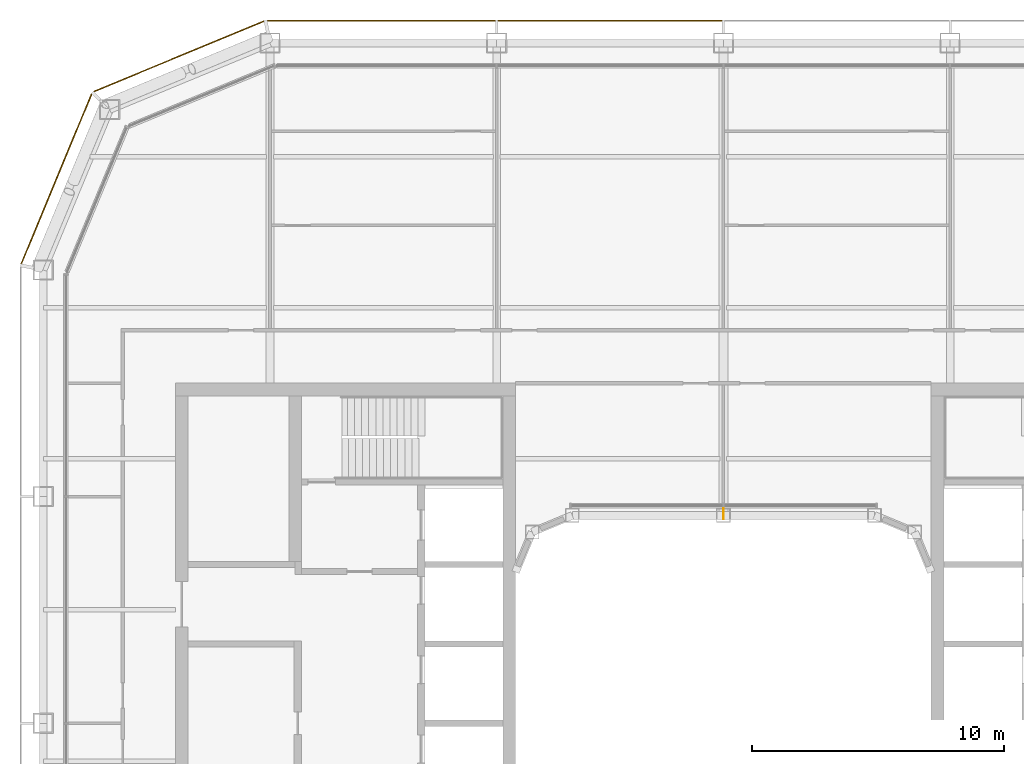
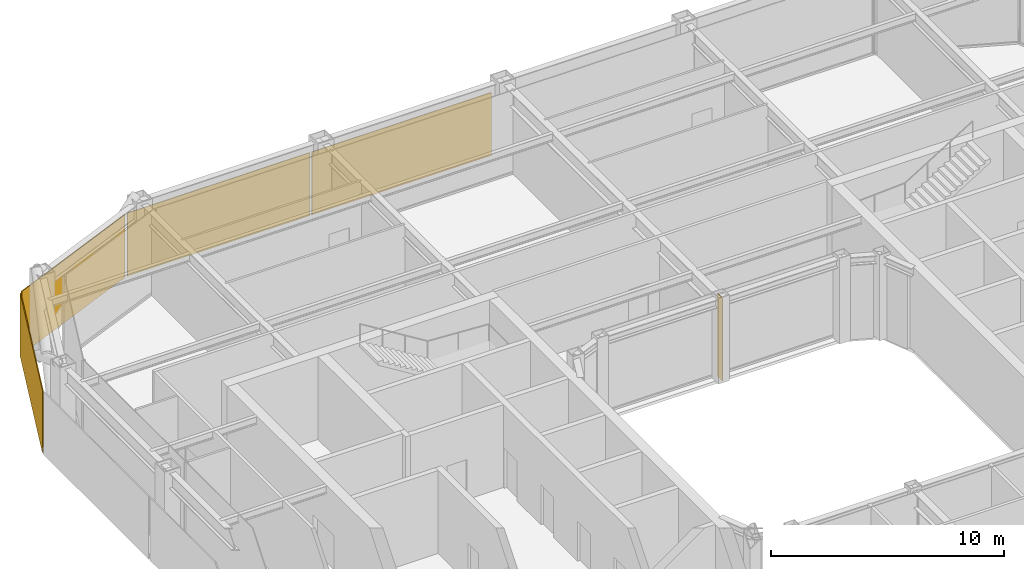
# One storey, part 21 of 23: 4 coverings, 1 shading device.
"""IFC4 building model written with IfcOpenShell, lengths in metres."""

from ifc_helpers import new_model, si_unit, direction, frame, origin, origin_2d, place, context, subcontext, project, spatial, rectangle, extrude, material, layer, layer_set, type_object, element, save


model = new_model("IFC4")

# Units and contexts
model_context = context("Model", 3, precision=1e-05, world=origin(), true_north=direction((0.0, 1.0)))
body_context = subcontext(model_context, "Body", "Model", "MODEL_VIEW")
ifc_project = project(units=[si_unit("LENGTHUNIT", "METRE"), si_unit("AREAUNIT", "SQUARE_METRE"), si_unit("VOLUMEUNIT", "CUBIC_METRE"), si_unit("PLANEANGLEUNIT", "RADIAN"), si_unit("MASSUNIT", "GRAM", prefix="KILO")], contexts=[model_context])

# Site, building, storey
site_placement = place(None, origin())
site = spatial("IfcSite", under=ifc_project, at=site_placement, CompositionType="ELEMENT")
building_placement = place(site_placement, origin())
building = spatial("IfcBuilding", under=site, at=building_placement, Name="Siwar Civic Tower", CompositionType="ELEMENT")
storey_placement = place(building_placement, frame((0.0, 0.0, 237.699951171875)))
storey = spatial("IfcBuildingStorey", under=building, at=storey_placement, Name="L51", CompositionType="ELEMENT", Elevation=237.699951171875)

# Shading device
ifc_material_1 = material(Name="Aluminium 6063-T6", Category="aluminium")
ifc_layer_1 = layer(ifc_material_1, 0.02001953125)
ifc_layer_set_1 = layer_set([ifc_layer_1], Name="Aluminium 6063-T6")
shading_device_type = type_object("IfcShadingDeviceType", Name="ENV-FIN", PredefinedType="JALOUSIE", material=ifc_layer_set_1)
shading_device_placement = place(storey_placement, frame((0.0, 8.320068359375, 0.0), z_axis=(0.0, 0.0, 1.0), x_axis=(-1.0, 0.0, 0.0)))
element("IfcShadingDevice", 1, at=shading_device_placement, inside=storey, type_object=shading_device_type, Name="SUNSHADE fin WN 1", PredefinedType="JALOUSIE", context=body_context, shape_type="SweptSolid", body=[
    extrude(rectangle(XDim=0.02001953125, YDim=0.449951171875, at=origin_2d()), origin(), (0.0, 0.0, 1.0), 4.35009765625),
])

# Coverings
ifc_material_2 = material(Name="Perforated aluminium cassette, pale metal", Category="aluminium")
ifc_layer_2 = layer(ifc_material_2, 0.0400390625)
ifc_layer_set_2 = layer_set([ifc_layer_2], Name="Perforated aluminium cassette, pale metal")
covering_type_1 = type_object("IfcCoveringType", Name="ENV-OUTER SKIN OS-1", PredefinedType="CLADDING", material=ifc_layer_set_2)
covering_1_placement = place(storey_placement, frame((-4.5, 27.89990234375, -0.14990234375), z_axis=(0.0, 0.0, 1.0), x_axis=(-1.0, 0.0, 0.0)))
element("IfcCovering", 2, at=covering_1_placement, inside=storey, type_object=covering_type_1, Name="OUTER SKIN OS-1 N 3", PredefinedType="CLADDING", context=body_context, shape_type="SweptSolid", body=[
    extrude(rectangle(XDim=8.89990234375, YDim=0.0400390625, at=origin_2d()), origin(), (0.0, 0.0, 1.0), 3.300048828125),
])
covering_2_placement = place(storey_placement, frame((-13.57958984375, 27.89990234375, -0.14990234375), z_axis=(0.0, 0.0, 1.0), x_axis=(-1.0, 0.0, 0.0)))
element("IfcCovering", 3, at=covering_2_placement, inside=storey, type_object=covering_type_1, Name="OUTER SKIN OS-1 N 4", PredefinedType="CLADDING", context=body_context, shape_type="SweptSolid", body=[
    extrude(rectangle(XDim=9.05908203125, YDim=0.0400390625, at=origin_2d()), origin(), (0.0, 0.0, 1.0), 3.300048828125),
])
covering_3_placement = place(storey_placement, frame((-21.615966796875, 26.476318359375, -0.14990234375), z_axis=(0.0, 0.0, 1.0), x_axis=(-0.923879532511, -0.382683432365, 0.0)))
element("IfcCovering", 4, at=covering_3_placement, inside=storey, type_object=covering_type_1, Name="OUTER SKIN OS-1 NW1 1", PredefinedType="CLADDING", context=body_context, shape_type="SweptSolid", body=[
    extrude(rectangle(XDim=7.300048828125, YDim=0.0400390625, at=origin_2d()), origin(), (0.0, 0.0, 1.0), 3.300048828125),
])
ifc_material_3 = material(Name="Perforated aluminium cassette, pale metal", Category="aluminium")
ifc_layer_3 = layer(ifc_material_3, 0.044921875)
ifc_layer_set_3 = layer_set([ifc_layer_3], Name="Perforated aluminium cassette, pale metal")
covering_type_2 = type_object("IfcCoveringType", Name="ENV-OUTER SKIN OS-2", PredefinedType="CLADDING", material=ifc_layer_set_3)
covering_4_placement = place(storey_placement, frame((-26.476318359375, 21.615966796875, -0.14990234375), z_axis=(0.0, 0.0, 1.0), x_axis=(-0.382683432365, -0.923879532511, 0.0)))
element("IfcCovering", 5, at=covering_4_placement, inside=storey, type_object=covering_type_2, Name="OUTER SKIN OS-2 NW2 1", PredefinedType="CLADDING", context=body_context, shape_type="SweptSolid", body=[
    extrude(rectangle(XDim=7.300048828125, YDim=0.044921875, at=origin_2d()), origin(), (0.0, 0.0, 1.0), 3.300048828125),
])

save(model, "model.ifc")
